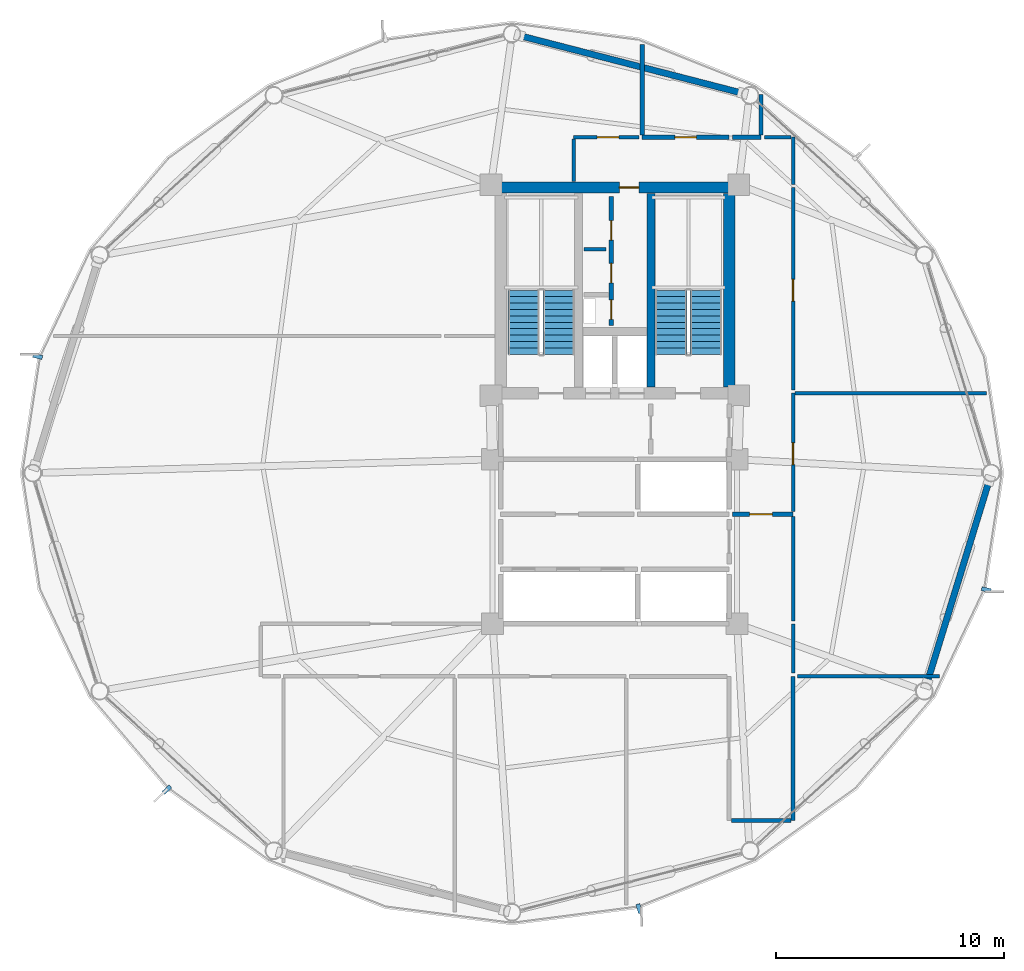
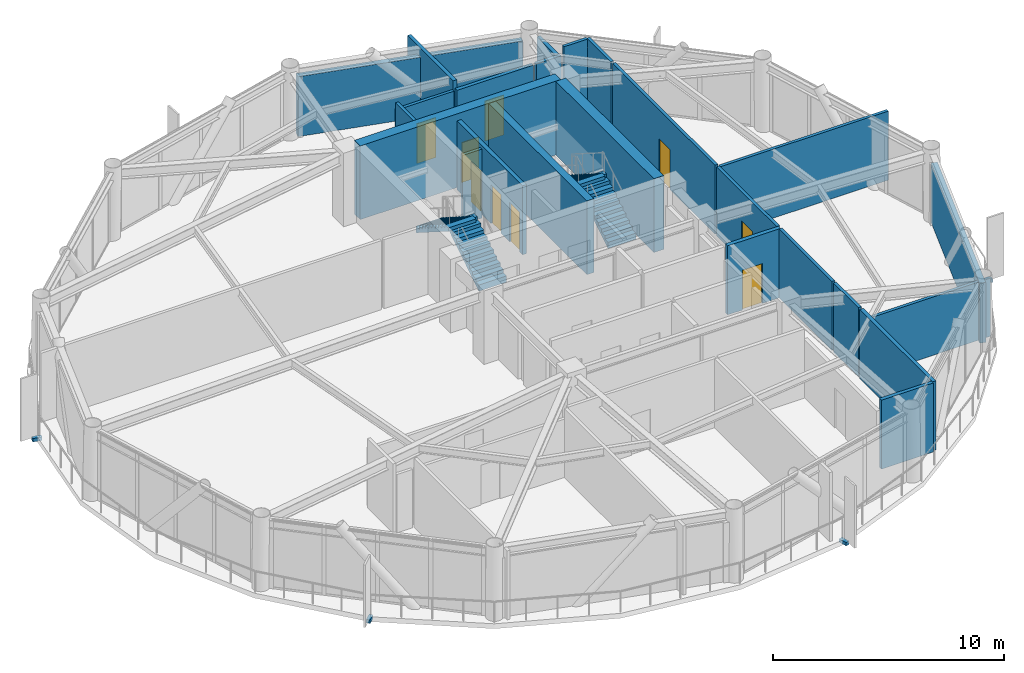
# One storey, part 22 of 26: 24 walls, 9 doors, 4 discrete accessories, 4 stair flights, 9 openings, 2 elements without a shape of their own.
"""IFC4 building model written with IfcOpenShell, lengths in metres."""

from ifc_helpers import new_model, si_unit, direction, frame, frame_2d, origin, origin_2d, place, context, subcontext, project, spatial, polyline, rectangle, outline, extrude, source, transform, mapped, material, layer, layer_set, type_object, type_shapes, element, fill, aggregate, save


model = new_model("IFC4")

# Units and contexts
model_context = context("Model", 3, precision=1e-05, world=origin(), true_north=direction((0.0, 1.0)))
body_context = subcontext(model_context, "Body", "Model", "MODEL_VIEW")
ifc_project = project(units=[si_unit("LENGTHUNIT", "METRE"), si_unit("AREAUNIT", "SQUARE_METRE"), si_unit("VOLUMEUNIT", "CUBIC_METRE"), si_unit("PLANEANGLEUNIT", "RADIAN"), si_unit("MASSUNIT", "GRAM", prefix="KILO")], contexts=[model_context])

# Site, building, storey
site_placement = place(None, origin())
site = spatial("IfcSite", under=ifc_project, at=site_placement, CompositionType="ELEMENT")
building_placement = place(site_placement, origin())
building = spatial("IfcBuilding", under=site, at=building_placement, Name="Varnakorn Sky Granary", CompositionType="ELEMENT")
storey_placement = place(building_placement, frame((0.0, 0.0, 138.300048828125)))
storey = spatial("IfcBuildingStorey", under=building, at=storey_placement, Name="L34", CompositionType="ELEMENT", Elevation=138.300048828125)

# Wall
ifc_material_1 = material(Name="Concrete C50/60", Category="concrete")
ifc_layer_1 = layer(ifc_material_1, 0.35009765625, Name="Concrete C50/60")
ifc_layer_set_1 = layer_set([ifc_layer_1], Name="Concrete C50/60")
wall_type_1 = type_object("IfcWallType", Name="WT-CW-INT-350", PredefinedType="SHEAR", material=ifc_layer_set_1)
wall_1_placement = place(storey_placement, frame((4.580078125, 3.760009765625, 0.0), z_axis=(0.0, 0.0, 1.0), x_axis=(0.0, 1.0, 0.0)))
element("IfcWall", 1, at=wall_1_placement, inside=storey, type_object=wall_type_1, Name="Stair ST-2 Core Wall L34", PredefinedType="SHEAR", context=body_context, shape_type="SweptSolid", body=[
    extrude(rectangle(XDim=8.47998046875, YDim=0.35009765625, at=frame_2d((4.239990234375, 0.0))), origin(), (0.0, 0.0, 1.0), 3.891845703125),
])

# Wall, opening, door
ifc_material_2 = material(Name="Concrete C60/75", Category="concrete")
ifc_layer_2 = layer(ifc_material_2, 0.5, Name="Concrete C60/75")
ifc_layer_set_2 = layer_set([ifc_layer_2], Name="Concrete C60/75")
wall_type_2 = type_object("IfcWallType", Name="WT-CW-SHEAR-500", PredefinedType="SHEAR", material=ifc_layer_set_2)
wall_2_placement = place(storey_placement, frame((-2.0, 12.5, 0.0), z_axis=(0.0, 0.0, 1.0), x_axis=(1.0, 0.0, 0.0)))
wall_2 = element("IfcWall", 2, at=wall_2_placement, inside=storey, type_object=wall_type_2, Name="Core North Shear Wall L34", PredefinedType="SHEAR", context=body_context, shape_type="SweptSolid", body=[
    extrude(rectangle(XDim=10.0, YDim=0.5, at=frame_2d((5.0, 0.0))), origin(), (0.0, 0.0, 1.0), 3.891845703125),
])
opening_1_placement = place(wall_2_placement, frame((5.199951171875, 0.0, 0.0)))
opening_1 = element("IfcOpeningElement", 3, at=opening_1_placement, cuts=wall_2, Name="Opening FD-60N", PredefinedType="OPENING", context=body_context, shape_type="SweptSolid", body=[
    extrude(rectangle(XDim=0.85009765625, YDim=2.10009765625, at=frame_2d((0.425048828125, 1.050048828125))), frame((0.0, 0.260009765625, 0.0), z_axis=(0.0, -1.0, 0.0), x_axis=(1.0, 0.0, 0.0)), (0.0, 0.0, 1.0), 0.52001953125),
])
ifc_material_3 = material(Name="Acoustic Timber Fire Leaf", Category="wood")
door_type_1 = type_object("IfcDoorType", Name="DR-FD60-850", OperationType="NOTDEFINED", PredefinedType="DOOR", material=ifc_material_3)
door_1_placement = place(opening_1_placement, origin())
door_1 = element("IfcDoor", 4, at=door_1_placement, inside=storey, type_object=door_type_1, Name="Core North Service Door L34", OperationType="SINGLE_SWING_RIGHT", OverallHeight=2.10009765625, OverallWidth=0.85009765625, PredefinedType="DOOR", context=body_context, shape_type="SweptSolid", body=[
    extrude(rectangle(XDim=0.85009765625, YDim=2.10009765625, at=frame_2d((0.425048828125, 1.050048828125))), frame((0.0, 0.02490234375, 0.0), z_axis=(0.0, -1.0, 0.0), x_axis=(1.0, 0.0, 0.0)), (0.0, 0.0, 1.0), 0.050048828125),
])
fill(opening_1, door_1)

# Walls
wall_3_placement = place(storey_placement, frame((8.0, 3.760009765625, 0.0), z_axis=(0.0, 0.0, 1.0), x_axis=(0.0, 1.0, 0.0)))
element("IfcWall", 5, at=wall_3_placement, inside=storey, type_object=wall_type_2, Name="Core East Shear Wall L34", PredefinedType="SHEAR", context=body_context, shape_type="SweptSolid", body=[
    extrude(rectangle(XDim=8.47998046875, YDim=0.5, at=frame_2d((4.239990234375, 0.0))), origin(), (0.0, 0.0, 1.0), 3.891845703125),
])
ifc_material_4 = material(Name="Precast concrete C40/50", Category="concrete")
ifc_layer_3 = layer(ifc_material_4, 0.280029296875, Name="Precast concrete C40/50")
ifc_layer_set_3 = layer_set([ifc_layer_3], Name="Precast concrete C40/50")
wall_type_3 = type_object("IfcWallType", Name="WT-EW-CRN-280", PredefinedType="SOLIDWALL", material=ifc_layer_set_3)
wall_4_placement = place(storey_placement, frame((-1.1748046875, 19.14697265625, 0.0), z_axis=(0.0, 0.0, 1.0), x_axis=(0.968200261144, -0.250176446375, 0.0)))
element("IfcWall", 6, at=wall_4_placement, inside=storey, type_object=wall_type_3, Name="Agritech Insulated Precast Facade Wall L34-P03", PredefinedType="SOLIDWALL", context=body_context, shape_type="SweptSolid", body=[
    extrude(rectangle(XDim=10.094482421875, YDim=0.280029296875, at=frame_2d((5.04736328125, 0.0))), origin(), (0.0, 0.0, 1.0), 3.159912109375),
])
wall_5_placement = place(storey_placement, frame((19.384521484375, -0.3212890625, 0.0), z_axis=(0.0, 0.0, 1.0), x_axis=(-0.293207205918, -0.956048918412, 0.0)))
element("IfcWall", 7, at=wall_5_placement, inside=storey, type_object=wall_type_3, Name="Agritech Insulated Precast Facade Wall L34-P12", PredefinedType="SOLIDWALL", context=body_context, shape_type="SweptSolid", body=[
    extrude(rectangle(XDim=9.31494140625, YDim=0.280029296875, at=frame_2d((4.657470703125, 0.0))), origin(), (0.0, 0.0, 1.0), 3.159912109375),
])

# Wall, openings, doors
ifc_material_5 = material(Name="Autoclaved Aerated Concrete Blockwork", Category="masonry")
ifc_layer_4 = layer(ifc_material_5, 0.199951171875, Name="Autoclaved Aerated Concrete Blockwork")
ifc_layer_set_4 = layer_set([ifc_layer_4], Name="Autoclaved Aerated Concrete Blockwork")
wall_type_4 = type_object("IfcWallType", Name="WT-FIRE-200", PredefinedType="MOVABLE", material=ifc_layer_set_4)
wall_6_placement = place(storey_placement, frame((2.85009765625, 6.449951171875, 0.0), z_axis=(0.0, 0.0, 1.0), x_axis=(0.0, 1.0, 0.0)))
wall_6 = element("IfcWall", 8, at=wall_6_placement, inside=storey, type_object=wall_type_4, Name="Interior Partition Wall L34-014", PredefinedType="MOVABLE", context=body_context, shape_type="SweptSolid", body=[
    extrude(rectangle(XDim=5.650146484375, YDim=0.199951171875, at=frame_2d((2.8251953125, 0.0))), origin(), (0.0, 0.0, 1.0), 3.639892578125),
])
opening_2_placement = place(wall_6_placement, frame((1.8798828125, 0.0, 0.0)))
opening_2 = element("IfcOpeningElement", 9, at=opening_2_placement, cuts=wall_6, Name="Opening RD-85", PredefinedType="OPENING", context=body_context, shape_type="SweptSolid", body=[
    extrude(rectangle(XDim=0.85009765625, YDim=2.050048828125, at=frame_2d((0.425048828125, 1.02490234375))), frame((0.0, 0.10986328125, 0.0), z_axis=(0.0, -1.0, 0.0), x_axis=(1.0, 0.0, 0.0)), (0.0, 0.0, 1.0), 0.219970703125),
])
opening_3_placement = place(wall_6_placement, frame((3.75, 0.0, 0.0)))
opening_3 = element("IfcOpeningElement", 10, at=opening_3_placement, cuts=wall_6, Name="Opening FD-60N", PredefinedType="OPENING", context=body_context, shape_type="SweptSolid", body=[
    extrude(rectangle(XDim=0.85009765625, YDim=2.10009765625, at=frame_2d((0.425048828125, 1.050048828125))), frame((0.0, 0.10986328125, 0.0), z_axis=(0.0, -1.0, 0.0), x_axis=(1.0, 0.0, 0.0)), (0.0, 0.0, 1.0), 0.219970703125),
])
opening_4_placement = place(wall_6_placement, frame((0.280029296875, 0.0, 0.0)))
opening_4 = element("IfcOpeningElement", 11, at=opening_4_placement, cuts=wall_6, Name="Opening FD-60N", PredefinedType="OPENING", context=body_context, shape_type="SweptSolid", body=[
    extrude(rectangle(XDim=0.85009765625, YDim=2.10009765625, at=frame_2d((0.425048828125, 1.050048828125))), frame((0.0, 0.10986328125, 0.0), z_axis=(0.0, -1.0, 0.0), x_axis=(1.0, 0.0, 0.0)), (0.0, 0.0, 1.0), 0.219970703125),
])
door_2_placement = place(opening_3_placement, origin())
door_2 = element("IfcDoor", 12, at=door_2_placement, inside=storey, type_object=door_type_1, Name="Interior Door L34-014-2", OperationType="SINGLE_SWING_RIGHT", OverallHeight=2.10009765625, OverallWidth=0.85009765625, PredefinedType="DOOR", context=body_context, shape_type="SweptSolid", body=[
    extrude(rectangle(XDim=0.85009765625, YDim=2.10009765625, at=frame_2d((0.425048828125, 1.050048828125))), frame((0.0, 0.02490234375, 0.0), z_axis=(0.0, -1.0, 0.0), x_axis=(1.0, 0.0, 0.0)), (0.0, 0.0, 1.0), 0.050048828125),
])
fill(opening_3, door_2)
door_3_placement = place(opening_4_placement, origin())
door_3 = element("IfcDoor", 13, at=door_3_placement, inside=storey, type_object=door_type_1, Name="Interior Door L34-014-3", OperationType="SINGLE_SWING_LEFT", OverallHeight=2.10009765625, OverallWidth=0.85009765625, PredefinedType="DOOR", context=body_context, shape_type="SweptSolid", body=[
    extrude(rectangle(XDim=0.85009765625, YDim=2.10009765625, at=frame_2d((0.425048828125, 1.050048828125))), frame((0.0, 0.02490234375, 0.0), z_axis=(0.0, -1.0, 0.0), x_axis=(1.0, 0.0, 0.0)), (0.0, 0.0, 1.0), 0.050048828125),
])
fill(opening_4, door_3)
ifc_material_6 = material(Name="Galvanised Painted Steel Leaf", Category="steel")
door_type_2 = type_object("IfcDoorType", Name="DR-RIS-850", OperationType="NOTDEFINED", PredefinedType="DOOR", material=ifc_material_6)
door_4_placement = place(opening_2_placement, origin())
door_4 = element("IfcDoor", 14, at=door_4_placement, inside=storey, type_object=door_type_2, Name="MEP Riser Shaft Access Door L34-014-1", OperationType="SINGLE_SWING_LEFT", OverallHeight=2.050048828125, OverallWidth=0.85009765625, PredefinedType="DOOR", context=body_context, shape_type="SweptSolid", body=[
    extrude(rectangle(XDim=0.85009765625, YDim=2.050048828125, at=frame_2d((0.425048828125, 1.02490234375))), frame((0.0, 0.02490234375, 0.0), z_axis=(0.0, -1.0, 0.0), x_axis=(1.0, 0.0, 0.0)), (0.0, 0.0, 1.0), 0.050048828125),
])
fill(opening_2, door_4)

# Wall, opening, door
wall_7_placement = place(storey_placement, frame((8.159912109375, -1.800048828125, 0.0), z_axis=(0.0, 0.0, 1.0), x_axis=(1.0, 0.0, 0.0)))
wall_7 = element("IfcWall", 15, at=wall_7_placement, inside=storey, type_object=wall_type_4, Name="Interior Partition Wall L34-019", PredefinedType="MOVABLE", context=body_context, shape_type="SweptSolid", body=[
    extrude(rectangle(XDim=2.64013671875, YDim=0.199951171875, at=frame_2d((1.320068359375, 0.0))), origin(), (0.0, 0.0, 1.0), 3.639892578125),
])
opening_5_placement = place(wall_7_placement, frame((0.739990234375, 0.0, 0.0)))
opening_5 = element("IfcOpeningElement", 16, at=opening_5_placement, cuts=wall_7, Name="Opening FD-60", PredefinedType="OPENING", context=body_context, shape_type="SweptSolid", body=[
    extrude(rectangle(XDim=1.0, YDim=2.10009765625, at=frame_2d((0.5, 1.050048828125))), frame((0.0, 0.10986328125, 0.0), z_axis=(0.0, -1.0, 0.0), x_axis=(1.0, 0.0, 0.0)), (0.0, 0.0, 1.0), 0.219970703125),
])
door_type_3 = type_object("IfcDoorType", Name="DR-FD60-1000", OperationType="NOTDEFINED", PredefinedType="DOOR", material=ifc_material_3)
door_5_placement = place(opening_5_placement, origin())
door_5 = element("IfcDoor", 17, at=door_5_placement, inside=storey, type_object=door_type_3, Name="Interior Door L34-019-1", OperationType="SINGLE_SWING_RIGHT", OverallHeight=2.10009765625, OverallWidth=1.0, PredefinedType="DOOR", context=body_context, shape_type="SweptSolid", body=[
    extrude(rectangle(XDim=1.0, YDim=2.10009765625, at=frame_2d((0.5, 1.050048828125))), frame((0.0, 0.02490234375, 0.0), z_axis=(0.0, -1.0, 0.0), x_axis=(1.0, 0.0, 0.0)), (0.0, 0.0, 1.0), 0.050048828125),
])
fill(opening_5, door_5)

ifc_material_7 = material(Name="Gypsum Plasterboard on Steel Stud", Category="steel")
ifc_layer_5 = layer(ifc_material_7, 0.14990234375, Name="Gypsum Plasterboard on Steel Stud")
ifc_layer_set_5 = layer_set([ifc_layer_5], Name="Gypsum Plasterboard on Steel Stud")
wall_type_5 = type_object("IfcWallType", Name="WT-PART-150", PredefinedType="PARTITIONING", material=ifc_layer_set_5)
wall_8_placement = place(storey_placement, frame((4.050048828125, 14.699951171875, 0.0), z_axis=(0.0, 0.0, 1.0), x_axis=(-1.0, 0.0, 0.0)))
wall_8 = element("IfcWall", 18, at=wall_8_placement, inside=storey, type_object=wall_type_5, Name="Interior Partition Wall L34-025", PredefinedType="PARTITIONING", context=body_context, shape_type="SweptSolid", body=[
    extrude(rectangle(XDim=2.85009765625, YDim=0.14990234375, at=frame_2d((1.425048828125, 0.0))), origin(), (0.0, 0.0, 1.0), 3.221923828125),
])
opening_6_placement = place(wall_8_placement, frame((0.875, 0.0, 0.0)))
opening_6 = element("IfcOpeningElement", 19, at=opening_6_placement, cuts=wall_8, Name="Opening ID-95", PredefinedType="OPENING", context=body_context, shape_type="SweptSolid", body=[
    extrude(rectangle(XDim=0.949951171875, YDim=2.10009765625, at=frame_2d((0.47509765625, 1.050048828125))), frame((0.0, 0.0849609375, 0.0), z_axis=(0.0, -1.0, 0.0), x_axis=(1.0, 0.0, 0.0)), (0.0, 0.0, 1.0), 0.169921875),
])
ifc_material_8 = material(Name="Solid-Core Teak Veneer Leaf", Category="timber")
door_type_4 = type_object("IfcDoorType", Name="DR-INT-950", OperationType="NOTDEFINED", PredefinedType="DOOR", material=ifc_material_8)
door_6_placement = place(opening_6_placement, origin())
door_6 = element("IfcDoor", 20, at=door_6_placement, inside=storey, type_object=door_type_4, Name="Interior Door L34-025-1", OperationType="SINGLE_SWING_RIGHT", OverallHeight=2.10009765625, OverallWidth=0.949951171875, PredefinedType="DOOR", context=body_context, shape_type="SweptSolid", body=[
    extrude(rectangle(XDim=0.949951171875, YDim=2.10009765625, at=frame_2d((0.47509765625, 1.050048828125))), frame((0.0, 0.02490234375, 0.0), z_axis=(0.0, -1.0, 0.0), x_axis=(1.0, 0.0, 0.0)), (0.0, 0.0, 1.0), 0.050048828125),
])
fill(opening_6, door_6)

wall_9_placement = place(storey_placement, frame((10.800048828125, -1.68994140625, 0.0), z_axis=(0.0, 0.0, 1.0), x_axis=(0.0, 1.0, 0.0)))
wall_9 = element("IfcWall", 21, at=wall_9_placement, inside=storey, type_object=wall_type_5, Name="Interior Partition Wall L34-026", PredefinedType="PARTITIONING", context=body_context, shape_type="SweptSolid", body=[
    extrude(rectangle(XDim=5.18994140625, YDim=0.14990234375, at=frame_2d((2.594970703125, 0.0))), origin(), (0.0, 0.0, 1.0), 3.639892578125),
])
opening_7_placement = place(wall_9_placement, frame((2.06494140625, 0.0, 0.0)))
opening_7 = element("IfcOpeningElement", 22, at=opening_7_placement, cuts=wall_9, Name="Opening ID-95", PredefinedType="OPENING", context=body_context, shape_type="SweptSolid", body=[
    extrude(rectangle(XDim=0.949951171875, YDim=2.10009765625, at=frame_2d((0.47509765625, 1.050048828125))), frame((0.0, 0.0849609375, 0.0), z_axis=(0.0, -1.0, 0.0), x_axis=(1.0, 0.0, 0.0)), (0.0, 0.0, 1.0), 0.169921875),
])
door_7_placement = place(opening_7_placement, origin())
door_7 = element("IfcDoor", 23, at=door_7_placement, inside=storey, type_object=door_type_4, Name="Interior Door L34-026-1", OperationType="SINGLE_SWING_LEFT", OverallHeight=2.10009765625, OverallWidth=0.949951171875, PredefinedType="DOOR", context=body_context, shape_type="SweptSolid", body=[
    extrude(rectangle(XDim=0.949951171875, YDim=2.10009765625, at=frame_2d((0.47509765625, 1.050048828125))), frame((0.0, 0.02490234375, 0.0), z_axis=(0.0, -1.0, 0.0), x_axis=(1.0, 0.0, 0.0)), (0.0, 0.0, 1.0), 0.050048828125),
])
fill(opening_7, door_7)

wall_10_placement = place(storey_placement, frame((10.800048828125, 3.635009765625, 0.0), z_axis=(0.0, 0.0, 1.0), x_axis=(0.0, 1.0, 0.0)))
wall_10 = element("IfcWall", 24, at=wall_10_placement, inside=storey, type_object=wall_type_5, Name="Interior Partition Wall L34-027", PredefinedType="PARTITIONING", context=body_context, shape_type="SweptSolid", body=[
    extrude(rectangle(XDim=8.864990234375, YDim=0.14990234375, at=frame_2d((4.4326171875, 0.0))), origin(), (0.0, 0.0, 1.0), 3.639892578125),
])
opening_8_placement = place(wall_10_placement, frame((3.889892578125, 0.0, 0.0)))
opening_8 = element("IfcOpeningElement", 25, at=opening_8_placement, cuts=wall_10, Name="Opening ID-95", PredefinedType="OPENING", context=body_context, shape_type="SweptSolid", body=[
    extrude(rectangle(XDim=0.949951171875, YDim=2.10009765625, at=frame_2d((0.47509765625, 1.050048828125))), frame((0.0, 0.0849609375, 0.0), z_axis=(0.0, -1.0, 0.0), x_axis=(1.0, 0.0, 0.0)), (0.0, 0.0, 1.0), 0.169921875),
])
door_8_placement = place(opening_8_placement, origin())
door_8 = element("IfcDoor", 26, at=door_8_placement, inside=storey, type_object=door_type_4, Name="Interior Door L34-027-1", OperationType="SINGLE_SWING_RIGHT", OverallHeight=2.10009765625, OverallWidth=0.949951171875, PredefinedType="DOOR", context=body_context, shape_type="SweptSolid", body=[
    extrude(rectangle(XDim=0.949951171875, YDim=2.10009765625, at=frame_2d((0.47509765625, 1.050048828125))), frame((0.0, 0.02490234375, 0.0), z_axis=(0.0, -1.0, 0.0), x_axis=(1.0, 0.0, 0.0)), (0.0, 0.0, 1.0), 0.050048828125),
])
fill(opening_8, door_8)

# Walls
wall_11_placement = place(storey_placement, frame((1.64990234375, 9.800048828125, 0.0), z_axis=(0.0, 0.0, 1.0), x_axis=(1.0, 0.0, 0.0)))
element("IfcWall", 27, at=wall_11_placement, inside=storey, type_object=wall_type_5, Name="Interior Partition Wall L34-028", PredefinedType="PARTITIONING", context=body_context, shape_type="SweptSolid", body=[
    extrude(rectangle(XDim=0.960205078125, YDim=0.14990234375, at=frame_2d((0.47998046875, 0.0))), origin(), (0.0, 0.0, 1.0), 3.639892578125),
])
wall_12_placement = place(storey_placement, frame((11.0, -8.89990234375, 0.0), z_axis=(0.0, 0.0, 1.0), x_axis=(1.0, 0.0, 0.0)))
element("IfcWall", 28, at=wall_12_placement, inside=storey, type_object=wall_type_5, Name="Interior Partition Wall L34-040", PredefinedType="PARTITIONING", context=body_context, shape_type="SweptSolid", body=[
    extrude(rectangle(XDim=6.202880859375, YDim=0.14990234375, at=frame_2d((3.1015625, 0.0))), origin(), (0.0, 0.0, 1.0), 3.072021484375),
])
wall_13_placement = place(storey_placement, frame((1.199951171875, 14.614990234375, 0.0), z_axis=(0.0, 0.0, 1.0), x_axis=(0.0, -1.0, 0.0)))
element("IfcWall", 29, at=wall_13_placement, inside=storey, type_object=wall_type_5, Name="Interior Partition Wall L34-045", PredefinedType="PARTITIONING", context=body_context, shape_type="SweptSolid", body=[
    extrude(rectangle(XDim=1.85498046875, YDim=0.14990234375, at=frame_2d((0.927490234375, 0.0))), origin(), (0.0, 0.0, 1.0), 3.639892578125),
])
wall_14_placement = place(storey_placement, frame((10.800048828125, -8.75, 0.0), z_axis=(0.0, 0.0, 1.0), x_axis=(0.0, 1.0, 0.0)))
element("IfcWall", 30, at=wall_14_placement, inside=storey, type_object=wall_type_5, Name="Interior Partition Wall L34-047", PredefinedType="PARTITIONING", context=body_context, shape_type="SweptSolid", body=[
    extrude(rectangle(XDim=2.14990234375, YDim=0.14990234375, at=frame_2d((1.074951171875, 0.0))), origin(), (0.0, 0.0, 1.0), 3.639892578125),
])
wall_15_placement = place(storey_placement, frame((10.800048828125, -6.465087890625, 0.0), z_axis=(0.0, 0.0, 1.0), x_axis=(0.0, 1.0, 0.0)))
element("IfcWall", 31, at=wall_15_placement, inside=storey, type_object=wall_type_5, Name="Interior Partition Wall L34-048", PredefinedType="PARTITIONING", context=body_context, shape_type="SweptSolid", body=[
    extrude(rectangle(XDim=4.55517578125, YDim=0.14990234375, at=frame_2d((2.277587890625, 0.0))), origin(), (0.0, 0.0, 1.0), 3.639892578125),
])
wall_16_placement = place(storey_placement, frame((10.885009765625, 3.5, 0.0), z_axis=(0.0, 0.0, 1.0), x_axis=(1.0, 0.0, 0.0)))
element("IfcWall", 32, at=wall_16_placement, inside=storey, type_object=wall_type_5, Name="Interior Partition Wall L34-049", PredefinedType="PARTITIONING", context=body_context, shape_type="SweptSolid", body=[
    extrude(rectangle(XDim=8.375, YDim=0.14990234375, at=frame_2d((4.1875, 0.0))), origin(), (0.0, 0.0, 1.0), 3.639892578125),
])
wall_17_placement = place(storey_placement, frame((10.800048828125, 12.635009765625, 0.0), z_axis=(0.0, 0.0, 1.0), x_axis=(0.0, 1.0, 0.0)))
element("IfcWall", 33, at=wall_17_placement, inside=storey, type_object=wall_type_5, Name="Interior Partition Wall L34-050", PredefinedType="PARTITIONING", context=body_context, shape_type="SweptSolid", body=[
    extrude(rectangle(XDim=2.06494140625, YDim=0.14990234375, at=frame_2d((1.032470703125, 0.0))), origin(), (0.0, 0.0, 1.0), 3.639892578125),
])
wall_18_placement = place(storey_placement, frame((10.715087890625, 14.699951171875, 0.0), z_axis=(0.0, 0.0, 1.0), x_axis=(-1.0, 0.0, 0.0)))
element("IfcWall", 34, at=wall_18_placement, inside=storey, type_object=wall_type_5, Name="Interior Partition Wall L34-051", PredefinedType="PARTITIONING", context=body_context, shape_type="SweptSolid", body=[
    extrude(rectangle(XDim=1.1650390625, YDim=0.14990234375, at=frame_2d((0.58251953125, 0.0))), origin(), (0.0, 0.0, 1.0), 3.639892578125),
])

# Wall, opening, door
ifc_material_9 = material(Name="Moisture-Resistant Gypsum on Stud", Category="gypsum")
ifc_layer_6 = layer(ifc_material_9, 0.179931640625, Name="Moisture-Resistant Gypsum on Stud")
ifc_layer_set_6 = layer_set([ifc_layer_6], Name="Moisture-Resistant Gypsum on Stud")
wall_type_6 = type_object("IfcWallType", Name="WT-PLUMB-180", PredefinedType="PLUMBINGWALL", material=ifc_layer_set_6)
wall_19_placement = place(storey_placement, frame((8.0, 14.699951171875, 0.0), z_axis=(0.0, 0.0, 1.0), x_axis=(-1.0, 0.0, 0.0)))
wall_19 = element("IfcWall", 35, at=wall_19_placement, inside=storey, type_object=wall_type_6, Name="Interior Partition Wall L34-020", PredefinedType="PLUMBINGWALL", context=body_context, shape_type="SweptSolid", body=[
    extrude(rectangle(XDim=3.800048828125, YDim=0.179931640625, at=frame_2d((1.89990234375, 0.0))), origin(), (0.0, 0.0, 1.0), 3.221923828125),
])
opening_9_placement = place(wall_19_placement, frame((1.425048828125, 0.0, 0.0)))
opening_9 = element("IfcOpeningElement", 36, at=opening_9_placement, cuts=wall_19, Name="Opening ID-95", PredefinedType="OPENING", context=body_context, shape_type="SweptSolid", body=[
    extrude(rectangle(XDim=0.949951171875, YDim=2.10009765625, at=frame_2d((0.47509765625, 1.050048828125))), frame((0.0, 0.10009765625, 0.0), z_axis=(0.0, -1.0, 0.0), x_axis=(1.0, 0.0, 0.0)), (0.0, 0.0, 1.0), 0.199951171875),
])
door_9_placement = place(opening_9_placement, origin())
door_9 = element("IfcDoor", 37, at=door_9_placement, inside=storey, type_object=door_type_4, Name="Interior Door L34-020-1", OperationType="SINGLE_SWING_LEFT", OverallHeight=2.10009765625, OverallWidth=0.949951171875, PredefinedType="DOOR", context=body_context, shape_type="SweptSolid", body=[
    extrude(rectangle(XDim=0.949951171875, YDim=2.10009765625, at=frame_2d((0.47509765625, 1.050048828125))), frame((0.0, 0.02490234375, 0.0), z_axis=(0.0, -1.0, 0.0), x_axis=(1.0, 0.0, 0.0)), (0.0, 0.0, 1.0), 0.050048828125),
])
fill(opening_9, door_9)

# Walls
wall_20_placement = place(storey_placement, frame((9.39990234375, 14.699951171875, 0.0), z_axis=(0.0, 0.0, 1.0), x_axis=(-1.0, 0.0, 0.0)))
element("IfcWall", 38, at=wall_20_placement, inside=storey, type_object=wall_type_6, Name="Interior Partition Wall L34-033", PredefinedType="PLUMBINGWALL", context=body_context, shape_type="SweptSolid", body=[
    extrude(rectangle(XDim=1.25, YDim=0.179931640625, at=frame_2d((0.625, 0.0))), origin(), (0.0, 0.0, 1.0), 3.221923828125),
])
wall_21_placement = place(storey_placement, frame((10.800048828125, -15.199951171875, 0.0), z_axis=(0.0, 0.0, 1.0), x_axis=(0.0, 1.0, 0.0)))
element("IfcWall", 39, at=wall_21_placement, inside=storey, type_object=wall_type_6, Name="Interior Partition Wall L34-037", PredefinedType="PLUMBINGWALL", context=body_context, shape_type="SweptSolid", body=[
    extrude(rectangle(XDim=6.300048828125, YDim=0.179931640625, at=frame_2d((3.14990234375, 0.0))), origin(), (0.0, 0.0, 1.0), 3.639892578125),
])
wall_22_placement = place(storey_placement, frame((8.10009765625, -15.199951171875, 0.0), z_axis=(0.0, 0.0, 1.0), x_axis=(1.0, 0.0, 0.0)))
element("IfcWall", 40, at=wall_22_placement, inside=storey, type_object=wall_type_6, Name="Interior Partition Wall L34-039", PredefinedType="PLUMBINGWALL", context=body_context, shape_type="SweptSolid", body=[
    extrude(rectangle(XDim=2.599853515625, YDim=0.179931640625, at=frame_2d((1.2998046875, 0.0))), origin(), (0.0, 0.0, 1.0), 3.639892578125),
])
wall_23_placement = place(storey_placement, frame((4.199951171875, 18.751953125, 0.0), z_axis=(0.0, 0.0, 1.0), x_axis=(0.0, -1.0, 0.0)))
element("IfcWall", 41, at=wall_23_placement, inside=storey, type_object=wall_type_6, Name="Interior Partition Wall L34-046", PredefinedType="PLUMBINGWALL", context=body_context, shape_type="SweptSolid", body=[
    extrude(rectangle(XDim=3.951904296875, YDim=0.179931640625, at=frame_2d((1.97607421875, 0.0))), origin(), (0.0, 0.0, 1.0), 3.639892578125),
])
wall_24_placement = place(storey_placement, frame((9.39990234375, 14.800048828125, 0.0), z_axis=(0.0, 0.0, 1.0), x_axis=(0.0, 1.0, 0.0)))
element("IfcWall", 42, at=wall_24_placement, inside=storey, type_object=wall_type_6, Name="Interior Partition Wall L34-052", PredefinedType="PLUMBINGWALL", context=body_context, shape_type="SweptSolid", body=[
    extrude(rectangle(XDim=1.77587890625, YDim=0.179931640625, at=frame_2d((0.887939453125, 0.0))), origin(), (0.0, 0.0, 1.0), 3.072021484375),
])

# Stair, stair flights
ifc_material_10 = material(Name="Concrete C40/50", Category="concrete")
stair_type = type_object("IfcStairType", Name="ST-MAIN-ASSEMBLY", PredefinedType="HALF_TURN_STAIR", material=ifc_material_10)
stair_1_placement = place(storey_placement, origin())
stair_1 = element("IfcStair", 43, at=stair_1_placement, inside=storey, type_object=stair_type, Name="L34 Protected Exit Stair ST-1", PredefinedType="HALF_TURN_STAIR")
stair_flight_type = type_object("IfcStairFlightType", Name="ST-MAIN-FLIGHT", PredefinedType="STRAIGHT", material=ifc_material_10)
stair_flight_1_placement = place(storey_placement, frame((0.550048828125, 5.199951171875, 0.0), z_axis=(0.0, 0.0, 1.0), x_axis=(0.0, 1.0, 0.0)))
stair_flight_1 = element("IfcStairFlight", 44, at=stair_flight_1_placement, type_object=stair_flight_type, Name="ST-1 flight 1", NumberOfRisers=11, NumberOfTreads=10, PredefinedType="STRAIGHT", RiserHeight=0.177272727, TreadLength=0.28, context=body_context, shape_type="SweptSolid", body=[
    extrude(outline(polyline([(0.0, -0.14990234375), (0.0, 0.0), (0.0, 0.17724609375), (0.280029296875, 0.17724609375), (0.280029296875, 0.3544921875), (0.56005859375, 0.3544921875), (0.56005859375, 0.53173828125), (0.840087890625, 0.53173828125), (0.840087890625, 0.708984375), (1.1201171875, 0.708984375), (1.1201171875, 0.886474609375), (1.39990234375, 0.886474609375), (1.39990234375, 1.063720703125), (1.679931640625, 1.063720703125), (1.679931640625, 1.240966796875), (1.9599609375, 1.240966796875), (1.9599609375, 1.418212890625), (2.239990234375, 1.418212890625), (2.239990234375, 1.595458984375), (2.52001953125, 1.595458984375), (2.52001953125, 1.772705078125), (2.800048828125, 1.772705078125), (2.800048828125, 1.949951171875), (2.800048828125, 1.59521484375), (0.050048828125, -0.14990234375), (0.0, -0.14990234375)])), frame((0.0, 0.68994140625, 0.0), z_axis=(0.0, -1.0, 0.0), x_axis=(1.0, 0.0, 0.0)), (0.0, 0.0, 1.0), 1.3798828125),
])
stair_flight_2_placement = place(storey_placement, frame((-0.97998046875, 8.0, 1.949951171875), z_axis=(0.0, 0.0, 1.0), x_axis=(0.0, -1.0, 0.0)))
stair_flight_2 = element("IfcStairFlight", 45, at=stair_flight_2_placement, type_object=stair_flight_type, Name="ST-1 flight 2", NumberOfRisers=11, NumberOfTreads=10, PredefinedType="STRAIGHT", RiserHeight=0.177272727, TreadLength=0.28, context=body_context, shape_type="SweptSolid", body=[
    extrude(outline(polyline([(0.0, -0.14990234375), (0.0, 0.0), (0.0, 0.17724609375), (0.280029296875, 0.17724609375), (0.280029296875, 0.3544921875), (0.56005859375, 0.3544921875), (0.56005859375, 0.53173828125), (0.840087890625, 0.53173828125), (0.840087890625, 0.708984375), (1.1201171875, 0.708984375), (1.1201171875, 0.886474609375), (1.39990234375, 0.886474609375), (1.39990234375, 1.063720703125), (1.679931640625, 1.063720703125), (1.679931640625, 1.240966796875), (1.9599609375, 1.240966796875), (1.9599609375, 1.418212890625), (2.239990234375, 1.418212890625), (2.239990234375, 1.595458984375), (2.52001953125, 1.595458984375), (2.52001953125, 1.772705078125), (2.800048828125, 1.772705078125), (2.800048828125, 1.949951171875), (2.800048828125, 1.59521484375), (0.050048828125, -0.14990234375), (0.0, -0.14990234375)])), frame((0.0, 0.68994140625, 0.0), z_axis=(0.0, -1.0, 0.0), x_axis=(1.0, 0.0, 0.0)), (0.0, 0.0, 1.0), 1.3798828125),
])
aggregate(stair_1, [stair_flight_1, stair_flight_2])

stair_2_placement = place(storey_placement, origin())
stair_2 = element("IfcStair", 46, at=stair_2_placement, inside=storey, type_object=stair_type, Name="L34 Protected Exit Stair ST-2", PredefinedType="HALF_TURN_STAIR")
stair_flight_3_placement = place(storey_placement, frame((6.989990234375, 5.199951171875, 0.0), z_axis=(0.0, 0.0, 1.0), x_axis=(0.0, 1.0, 0.0)))
stair_flight_3 = element("IfcStairFlight", 47, at=stair_flight_3_placement, type_object=stair_flight_type, Name="ST-2 flight 1", NumberOfRisers=11, NumberOfTreads=10, PredefinedType="STRAIGHT", RiserHeight=0.177272727, TreadLength=0.28, context=body_context, shape_type="SweptSolid", body=[
    extrude(outline(polyline([(0.0, -0.14990234375), (0.0, 0.0), (0.0, 0.17724609375), (0.280029296875, 0.17724609375), (0.280029296875, 0.3544921875), (0.56005859375, 0.3544921875), (0.56005859375, 0.53173828125), (0.840087890625, 0.53173828125), (0.840087890625, 0.708984375), (1.1201171875, 0.708984375), (1.1201171875, 0.886474609375), (1.39990234375, 0.886474609375), (1.39990234375, 1.063720703125), (1.679931640625, 1.063720703125), (1.679931640625, 1.240966796875), (1.9599609375, 1.240966796875), (1.9599609375, 1.418212890625), (2.239990234375, 1.418212890625), (2.239990234375, 1.595458984375), (2.52001953125, 1.595458984375), (2.52001953125, 1.772705078125), (2.800048828125, 1.772705078125), (2.800048828125, 1.949951171875), (2.800048828125, 1.59521484375), (0.050048828125, -0.14990234375), (0.0, -0.14990234375)])), frame((0.0, 0.68994140625, 0.0), z_axis=(0.0, -1.0, 0.0), x_axis=(1.0, 0.0, 0.0)), (0.0, 0.0, 1.0), 1.3798828125),
])
stair_flight_4_placement = place(storey_placement, frame((5.4599609375, 8.0, 1.949951171875), z_axis=(0.0, 0.0, 1.0), x_axis=(0.0, -1.0, 0.0)))
stair_flight_4 = element("IfcStairFlight", 48, at=stair_flight_4_placement, type_object=stair_flight_type, Name="ST-2 flight 2", NumberOfRisers=11, NumberOfTreads=10, PredefinedType="STRAIGHT", RiserHeight=0.177272727, TreadLength=0.28, context=body_context, shape_type="SweptSolid", body=[
    extrude(outline(polyline([(0.0, -0.14990234375), (0.0, 0.0), (0.0, 0.17724609375), (0.280029296875, 0.17724609375), (0.280029296875, 0.3544921875), (0.56005859375, 0.3544921875), (0.56005859375, 0.53173828125), (0.840087890625, 0.53173828125), (0.840087890625, 0.708984375), (1.1201171875, 0.708984375), (1.1201171875, 0.886474609375), (1.39990234375, 0.886474609375), (1.39990234375, 1.063720703125), (1.679931640625, 1.063720703125), (1.679931640625, 1.240966796875), (1.9599609375, 1.240966796875), (1.9599609375, 1.418212890625), (2.239990234375, 1.418212890625), (2.239990234375, 1.595458984375), (2.52001953125, 1.595458984375), (2.52001953125, 1.772705078125), (2.800048828125, 1.772705078125), (2.800048828125, 1.949951171875), (2.800048828125, 1.59521484375), (0.050048828125, -0.14990234375), (0.0, -0.14990234375)])), frame((0.0, 0.68994140625, 0.0), z_axis=(0.0, -1.0, 0.0), x_axis=(1.0, 0.0, 0.0)), (0.0, 0.0, 1.0), 1.3798828125),
])
aggregate(stair_2, [stair_flight_3, stair_flight_4])

# Discrete accessories
ifc_material_11 = material(Name="Steel S355JR", Category="steel")
discrete_accessory_type = type_object("IfcDiscreteAccessoryType", Name="AC-BRK-01", PredefinedType="BRACKET", material=ifc_material_11)
shared_shape = source(origin(), body_context, "Body", "SweptSolid", [
    extrude(rectangle(XDim=0.179931640625, YDim=0.419921875, at=origin_2d()), origin(), (0.0, 0.0, 1.0), 0.179931640625),
])
type_shapes(discrete_accessory_type, [shared_shape])
for number, where, z_axis, x_axis, name in (
    (49, (-22.25634765625, 5.105712890625, -0.2001953125), (0.0, 0.0, 1.0), (-0.238859758836, -0.971054074503, 0.0), "Facade Solar-Screen Outrigger Bracket L34-06"),
    (50, (-16.602294921875, -13.856201171875, -0.2001953125), (0.0, 0.0, 1.0), (0.676051697968, -0.736854192955, 0.0), "Facade Solar-Screen Outrigger Bracket L34-08"),
    (51, (4.06396484375, -19.062744140625, -0.2001953125), (0.0, 0.0, 1.0), (0.959945281682, 0.280187537511, 0.0), "Facade Solar-Screen Outrigger Bracket L34-10"),
    (52, (19.25634765625, -5.105712890625, -0.2001953125), (0.0, 0.0, 1.0), (0.238859758836, 0.971054074503, 0.0), "Facade Solar-Screen Outrigger Bracket L34-12"),
):
    element("IfcDiscreteAccessory", number, at=place(storey_placement, frame(where, z_axis=z_axis, x_axis=x_axis)), inside=storey, type_object=discrete_accessory_type, Name=name, PredefinedType="BRACKET", context=body_context, shape_type="MappedRepresentation", body=[
        mapped(shared_shape, transform((0.0, 0.0, 0.0), x_axis=(1.0, 0.0, 0.0), y_axis=(0.0, 1.0, 0.0), z_axis=(0.0, 0.0, 1.0), scale=1.0)),
    ])

save(model, "model.ifc")
